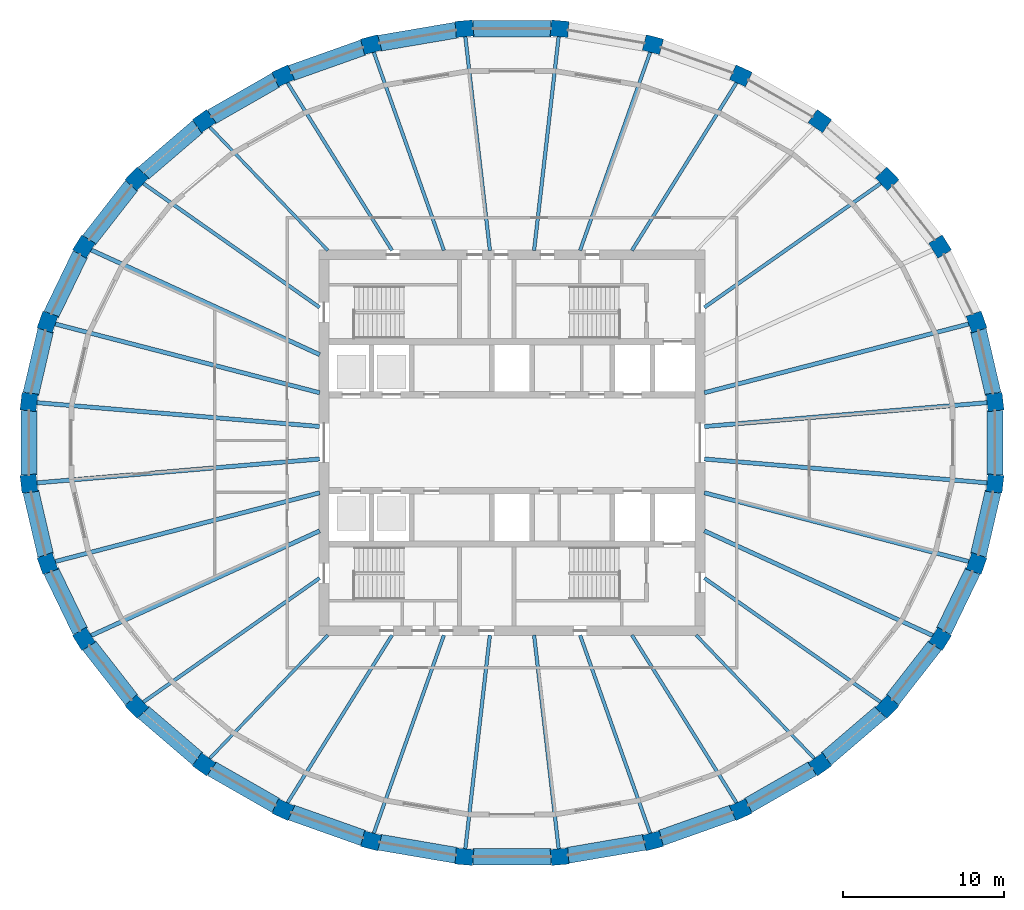
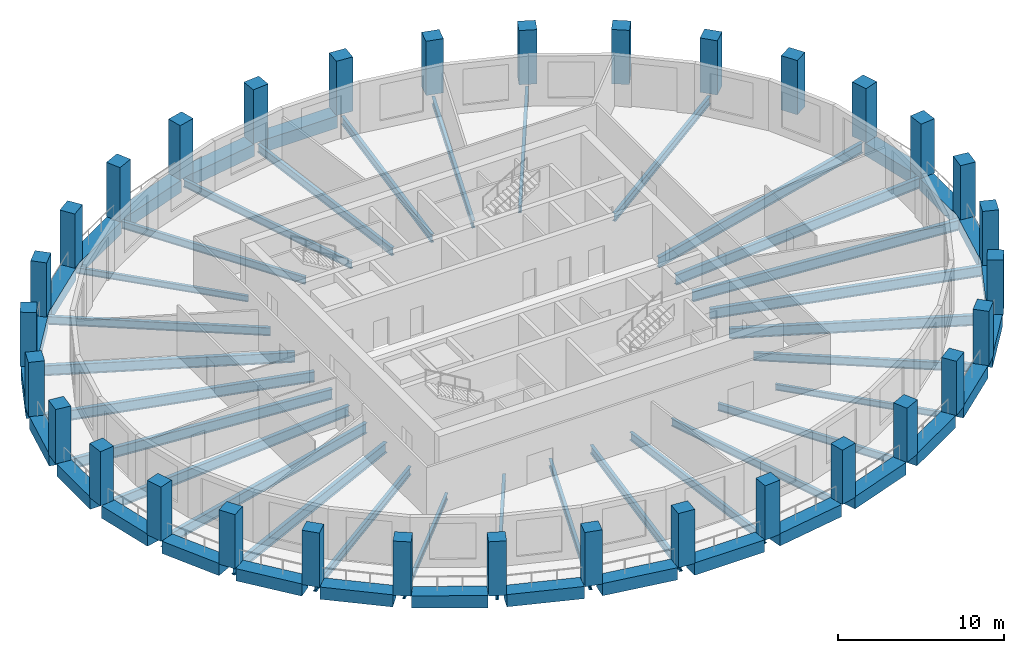
# One storey, part 1 of 10: 56 beams, 32 columns.
"""IFC4 building model written with IfcOpenShell, lengths in metres."""

from ifc_helpers import new_model, si_unit, direction, frame, origin, origin_2d, place, context, subcontext, project, spatial, rectangle, i_section, extrude, material, material_profile, profile_set, type_object, element, save


model = new_model("IFC4")

# Units and contexts
model_context = context("Model", 3, precision=1e-05, world=origin(), true_north=direction((0.0, 1.0)))
body_context = subcontext(model_context, "Body", "Model", "MODEL_VIEW")
ifc_project = project(units=[si_unit("LENGTHUNIT", "METRE"), si_unit("AREAUNIT", "SQUARE_METRE"), si_unit("VOLUMEUNIT", "CUBIC_METRE"), si_unit("PLANEANGLEUNIT", "RADIAN"), si_unit("MASSUNIT", "GRAM", prefix="KILO")], contexts=[model_context])

# Site, building, storey
site_placement = place(None, origin())
site = spatial("IfcSite", under=ifc_project, at=site_placement, CompositionType="ELEMENT")
building_placement = place(site_placement, origin())
building = spatial("IfcBuilding", under=site, at=building_placement, Name="Halqa Exchange Tower", CompositionType="ELEMENT")
storey_placement = place(building_placement, frame((0.0, 0.0, 260.300048828125)))
storey = spatial("IfcBuildingStorey", under=building, at=storey_placement, Name="L60", CompositionType="ELEMENT", Elevation=260.300048828125)

# Columns
ifc_material_1 = material(Name="Concrete C60/75", Category="concrete")
ifc_material_profile_1 = material_profile(ifc_material_1, rectangle(XDim=1.10009765625, YDim=1.0, at=origin_2d()), Name="1100 x 1000")
ifc_profile_set_1 = profile_set([ifc_material_profile_1], Name="Concrete C60/75")
column_type = type_object("IfcColumnType", Name="RC ring column 1100 x 1000 C60/75", PredefinedType="COLUMN", material=ifc_profile_set_1)
for number, where, z_axis, x_axis, name in (
    (1, (30.06494140625, 2.5380859375, 0.0), (0.0, 0.0, 1.0), (-0.114158655897, 0.993462531394, 0.0), "Ring column 1"),
    (2, (28.90966796875, 7.516845703125, 0.0), (0.0, 0.0, 1.0), (-0.333622588243, 0.942706724604, 0.0), "Ring column 2"),
    (3, (26.643310546875, 12.206787109375, 0.0), (0.0, 0.0, 1.0), (-0.529140496257, 0.848534227489, 0.0), "Ring column 3"),
    (4, (23.35302734375, 16.427490234375, 0.0), (0.0, 0.0, 1.0), (-0.691578612608, 0.722301199351, 0.0), "Ring column 4"),
    (5, (19.165283203125, 20.016845703125, 0.0), (0.0, 0.0, 1.0), (-0.817906779671, 0.575350762377, 0.0), "Ring column 5"),
    (6, (14.2412109375, 22.837158203125, 0.0), (0.0, 0.0, 1.0), (-0.909127822794, 0.416517228722, 0.0), "Ring column 6"),
    (7, (8.76953125, 24.77978515625, 0.0), (0.0, 0.0, 1.0), (-0.967820381973, 0.251642023988, 0.0), "Ring column 7"),
    (8, (2.961181640625, 25.77001953125, 0.0), (0.0, 0.0, 1.0), (-0.996455665803, 0.084119593962, 0.0), "Ring column 8"),
    (9, (-2.961181640625, 25.77001953125, 0.0), (0.0, 0.0, 1.0), (-0.996455665803, -0.084119593962, 0.0), "Ring column 9"),
    (10, (-8.76953125, 24.77978515625, 0.0), (0.0, 0.0, 1.0), (-0.967820381973, -0.251642023988, 0.0), "Ring column 10"),
    (11, (-14.2412109375, 22.837158203125, 0.0), (0.0, 0.0, 1.0), (-0.909127822794, -0.416517228722, 0.0), "Ring column 11"),
    (12, (-19.165283203125, 20.016845703125, 0.0), (0.0, 0.0, 1.0), (-0.817906779671, -0.575350762377, 0.0), "Ring column 12"),
    (13, (-23.35302734375, 16.427490234375, 0.0), (0.0, 0.0, 1.0), (-0.691578612608, -0.722301199351, 0.0), "Ring column 13"),
    (14, (-26.643310546875, 12.206787109375, 0.0), (0.0, 0.0, 1.0), (-0.529140496257, -0.848534227489, 0.0), "Ring column 14"),
    (15, (-28.90966796875, 7.516845703125, 0.0), (0.0, 0.0, 1.0), (-0.333622588243, -0.942706724604, 0.0), "Ring column 15"),
    (16, (-30.06494140625, 2.5380859375, 0.0), (0.0, 0.0, 1.0), (-0.114158655897, -0.993462531394, 0.0), "Ring column 16"),
    (17, (-30.06494140625, -2.5380859375, 0.0), (0.0, 0.0, 1.0), (0.114158655897, -0.993462531394, 0.0), "Ring column 17"),
    (18, (-28.90966796875, -7.516845703125, 0.0), (0.0, 0.0, 1.0), (0.333622588243, -0.942706724604, 0.0), "Ring column 18"),
    (19, (-26.643310546875, -12.206787109375, 0.0), (0.0, 0.0, 1.0), (0.529140496257, -0.848534227489, 0.0), "Ring column 19"),
    (20, (-23.35302734375, -16.427490234375, 0.0), (0.0, 0.0, 1.0), (0.691578612608, -0.722301199351, 0.0), "Ring column 20"),
    (21, (-19.165283203125, -20.016845703125, 0.0), (0.0, 0.0, 1.0), (0.817906779671, -0.575350762377, 0.0), "Ring column 21"),
    (22, (-14.2412109375, -22.837158203125, 0.0), (0.0, 0.0, 1.0), (0.909127822794, -0.416517228722, 0.0), "Ring column 22"),
    (23, (-8.76953125, -24.77978515625, 0.0), (0.0, 0.0, 1.0), (0.967820381973, -0.251642023988, 0.0), "Ring column 23"),
    (24, (-2.961181640625, -25.77001953125, 0.0), (0.0, 0.0, 1.0), (0.996455665803, -0.084119593962, 0.0), "Ring column 24"),
    (25, (2.961181640625, -25.77001953125, 0.0), (0.0, 0.0, 1.0), (0.996455665803, 0.084119593962, 0.0), "Ring column 25"),
    (26, (8.76953125, -24.77978515625, 0.0), (0.0, 0.0, 1.0), (0.967820381973, 0.251642023988, 0.0), "Ring column 26"),
    (27, (14.2412109375, -22.837158203125, 0.0), (0.0, 0.0, 1.0), (0.909127822794, 0.416517228722, 0.0), "Ring column 27"),
    (28, (19.165283203125, -20.016845703125, 0.0), (0.0, 0.0, 1.0), (0.817906779671, 0.575350762377, 0.0), "Ring column 28"),
    (29, (23.35302734375, -16.427490234375, 0.0), (0.0, 0.0, 1.0), (0.691578612608, 0.722301199351, 0.0), "Ring column 29"),
    (30, (26.643310546875, -12.206787109375, 0.0), (0.0, 0.0, 1.0), (0.529140496257, 0.848534227489, 0.0), "Ring column 30"),
    (31, (28.90966796875, -7.516845703125, 0.0), (0.0, 0.0, 1.0), (0.333622588243, 0.942706724604, 0.0), "Ring column 31"),
    (32, (30.06494140625, -2.5380859375, 0.0), (0.0, 0.0, 1.0), (0.114158655897, 0.993462531394, 0.0), "Ring column 32"),
):
    element("IfcColumn", number, at=place(storey_placement, frame(where, z_axis=z_axis, x_axis=x_axis)), inside=storey, type_object=column_type, Name=name, PredefinedType="COLUMN", context=body_context, shape_type="SweptSolid", body=[
        extrude(rectangle(XDim=1.10009765625, YDim=1.0, at=origin_2d()), origin(), (0.0, 0.0, 1.0), 4.0),
    ])

# Beams
ifc_material_2 = material(Name="Steel S355", Category="steel")
ifc_material_profile_2 = material_profile(ifc_material_2, i_section(OverallWidth=0.18994140625, OverallDepth=0.449951171875, WebThickness=0.009521484375, FlangeThickness=0.0146484375, FilletRadius=0.02099609375, at=origin_2d()), Name="IPE 450")
ifc_profile_set_2 = profile_set([ifc_material_profile_2], Name="Steel S355")
beam_type_1 = type_object("IfcBeamType", Name="Floor beam IPE 450", PredefinedType="BEAM", material=ifc_profile_set_2)
for number, where, z_axis, x_axis, name in (
    (33, (-11.462890625, 11.97216796875, -0.525146484375), (-0.691571250257, 0.722308248477, 0.0), (-0.722308248477, -0.691571250257, 0.0), "Radial beam 12"),
    (34, (-11.462890625, -11.97216796875, -0.525146484375), (-0.691571250257, -0.722308248477, 0.0), (0.722308248477, -0.691571250257, 0.0), "Radial beam 21"),
    (35, (11.462890625, -11.97216796875, -0.525146484375), (0.691571250257, -0.722308248477, 0.0), (0.722308248477, 0.691571250257, 0.0), "Radial beam 28"),
):
    element("IfcBeam", number, at=place(storey_placement, frame(where, z_axis=z_axis, x_axis=x_axis)), inside=storey, type_object=beam_type_1, Name=name, PredefinedType="BEAM", context=body_context, shape_type="SweptSolid", body=[
        extrude(i_section(OverallWidth=0.18994140625, OverallDepth=0.449951171875, WebThickness=0.009521484375, FlangeThickness=0.0146484375, FilletRadius=0.02099609375, at=origin_2d()), origin(), (0.0, 0.0, 1.0), 10.8896484375),
    ])
ifc_material_profile_3 = material_profile(ifc_material_2, i_section(OverallWidth=0.2099609375, OverallDepth=0.550048828125, WebThickness=0.010986328125, FlangeThickness=0.01708984375, FilletRadius=0.02392578125, at=origin_2d()), Name="IPE 550")
ifc_profile_set_3 = profile_set([ifc_material_profile_3], Name="Steel S355")
beam_type_2 = type_object("IfcBeamType", Name="Floor beam IPE 550", PredefinedType="BEAM", material=ifc_profile_set_3)
beam_1_placement = place(storey_placement, frame((7.46533203125, 11.971435546875, -0.574951171875), z_axis=(0.529149067811, 0.848528882263, 0.0), x_axis=(-0.848528882263, 0.529149067811, 0.0)))
element("IfcBeam", 36, at=beam_1_placement, inside=storey, type_object=beam_type_2, Name="Radial beam 6", PredefinedType="BEAM", context=body_context, shape_type="SweptSolid", body=[
    extrude(i_section(OverallWidth=0.2099609375, OverallDepth=0.550048828125, WebThickness=0.010986328125, FlangeThickness=0.01708984375, FilletRadius=0.02392578125, at=origin_2d()), origin(), (0.0, 0.0, 1.0), 12.55322265625),
])
for number, where, z_axis, x_axis, name in (
    (37, (4.23681640625, 11.971923828125, -0.574951171875), (0.333635977783, 0.942701985958, 0.0), (-0.942701985958, 0.333635977783, 0.0), "Radial beam 7"),
    (38, (-4.23681640625, 11.971923828125, -0.574951171875), (-0.333635977783, 0.942701985958, 0.0), (-0.942701985958, -0.333635977783, 0.0), "Radial beam 10"),
):
    element("IfcBeam", number, at=place(storey_placement, frame(where, z_axis=z_axis, x_axis=x_axis)), inside=storey, type_object=beam_type_2, Name=name, PredefinedType="BEAM", context=body_context, shape_type="SweptSolid", body=[
        extrude(i_section(OverallWidth=0.2099609375, OverallDepth=0.550048828125, WebThickness=0.010986328125, FlangeThickness=0.01708984375, FilletRadius=0.02392578125, at=origin_2d()), origin(), (0.0, 0.0, 1.0), 13.333984375),
    ])
for number, where, z_axis, x_axis, name in (
    (39, (-7.46533203125, 11.971435546875, -0.574951171875), (-0.529149067811, 0.848528882263, 0.0), (-0.848528882263, -0.529149067811, 0.0), "Radial beam 11"),
    (40, (-7.46533203125, -11.971435546875, -0.574951171875), (-0.529149067811, -0.848528882263, 0.0), (0.848528882263, -0.529149067811, 0.0), "Radial beam 22"),
):
    element("IfcBeam", number, at=place(storey_placement, frame(where, z_axis=z_axis, x_axis=x_axis)), inside=storey, type_object=beam_type_2, Name=name, PredefinedType="BEAM", context=body_context, shape_type="SweptSolid", body=[
        extrude(i_section(OverallWidth=0.2099609375, OverallDepth=0.550048828125, WebThickness=0.010986328125, FlangeThickness=0.01708984375, FilletRadius=0.02392578125, at=origin_2d()), origin(), (0.0, 0.0, 1.0), 12.55322265625),
    ])
for number, where, z_axis, x_axis, name in (
    (41, (-4.23681640625, -11.971923828125, -0.574951171875), (-0.333635977783, -0.942701985958, 0.0), (0.942701985958, -0.333635977783, 0.0), "Radial beam 23"),
    (42, (4.23681640625, -11.971923828125, -0.574951171875), (0.333635977783, -0.942701985958, 0.0), (0.942701985958, 0.333635977783, 0.0), "Radial beam 26"),
):
    element("IfcBeam", number, at=place(storey_placement, frame(where, z_axis=z_axis, x_axis=x_axis)), inside=storey, type_object=beam_type_2, Name=name, PredefinedType="BEAM", context=body_context, shape_type="SweptSolid", body=[
        extrude(i_section(OverallWidth=0.2099609375, OverallDepth=0.550048828125, WebThickness=0.010986328125, FlangeThickness=0.01708984375, FilletRadius=0.02392578125, at=origin_2d()), origin(), (0.0, 0.0, 1.0), 13.333984375),
    ])
beam_2_placement = place(storey_placement, frame((7.46533203125, -11.971435546875, -0.574951171875), z_axis=(0.529149067811, -0.848528882263, 0.0), x_axis=(0.848528882263, 0.529149067811, 0.0)))
element("IfcBeam", 43, at=beam_2_placement, inside=storey, type_object=beam_type_2, Name="Radial beam 27", PredefinedType="BEAM", context=body_context, shape_type="SweptSolid", body=[
    extrude(i_section(OverallWidth=0.2099609375, OverallDepth=0.550048828125, WebThickness=0.010986328125, FlangeThickness=0.01708984375, FilletRadius=0.02392578125, at=origin_2d()), origin(), (0.0, 0.0, 1.0), 12.55322265625),
])
ifc_material_profile_4 = material_profile(ifc_material_2, i_section(OverallWidth=0.219970703125, OverallDepth=0.60009765625, WebThickness=0.011962890625, FlangeThickness=0.01904296875, FilletRadius=0.02392578125, at=origin_2d()), Name="IPE 600")
ifc_profile_set_4 = profile_set([ifc_material_profile_4], Name="Steel S355")
beam_type_3 = type_object("IfcBeamType", Name="Floor beam IPE 600", PredefinedType="BEAM", material=ifc_profile_set_4)
beam_3_placement = place(storey_placement, frame((11.972412109375, 8.421875, -0.60009765625), z_axis=(0.817903224898, 0.575355815737, 0.0), x_axis=(-0.575355815737, 0.817903224898, 0.0)))
element("IfcBeam", 44, at=beam_3_placement, inside=storey, type_object=beam_type_3, Name="Radial beam 4", PredefinedType="BEAM", context=body_context, shape_type="SweptSolid", body=[
    extrude(i_section(OverallWidth=0.219970703125, OverallDepth=0.60009765625, WebThickness=0.011962890625, FlangeThickness=0.01904296875, FilletRadius=0.02392578125, at=origin_2d()), origin(), (0.0, 0.0, 1.0), 13.670166015625),
])
for number, where, z_axis, x_axis, name in (
    (45, (1.375732421875, 11.972412109375, -0.60009765625), (0.114153092287, 0.993463170692, 0.0), (-0.993463170692, 0.114153092287, 0.0), "Radial beam 8"),
    (46, (-1.375732421875, 11.972412109375, -0.60009765625), (-0.114153092287, 0.993463170692, 0.0), (-0.993463170692, -0.114153092287, 0.0), "Radial beam 9"),
):
    element("IfcBeam", number, at=place(storey_placement, frame(where, z_axis=z_axis, x_axis=x_axis)), inside=storey, type_object=beam_type_3, Name=name, PredefinedType="BEAM", context=body_context, shape_type="SweptSolid", body=[
        extrude(i_section(OverallWidth=0.219970703125, OverallDepth=0.60009765625, WebThickness=0.011962890625, FlangeThickness=0.01904296875, FilletRadius=0.02392578125, at=origin_2d()), origin(), (0.0, 0.0, 1.0), 13.63427734375),
    ])
for number, where, z_axis, x_axis, name in (
    (47, (-11.972412109375, 8.421875, -0.60009765625), (-0.817903224898, 0.575355815737, 0.0), (-0.575355815737, -0.817903224898, 0.0), "Radial beam 13"),
    (48, (-11.972412109375, -8.421875, -0.60009765625), (-0.817903224898, -0.575355815737, 0.0), (0.575355815737, -0.817903224898, 0.0), "Radial beam 20"),
):
    element("IfcBeam", number, at=place(storey_placement, frame(where, z_axis=z_axis, x_axis=x_axis)), inside=storey, type_object=beam_type_3, Name=name, PredefinedType="BEAM", context=body_context, shape_type="SweptSolid", body=[
        extrude(i_section(OverallWidth=0.219970703125, OverallDepth=0.60009765625, WebThickness=0.011962890625, FlangeThickness=0.01904296875, FilletRadius=0.02392578125, at=origin_2d()), origin(), (0.0, 0.0, 1.0), 13.670166015625),
    ])
for number, where, z_axis, x_axis, name in (
    (49, (-1.375732421875, -11.972412109375, -0.60009765625), (-0.114153092287, -0.993463170692, 0.0), (0.993463170692, -0.114153092287, 0.0), "Radial beam 24"),
    (50, (1.375732421875, -11.972412109375, -0.60009765625), (0.114153092287, -0.993463170692, 0.0), (0.993463170692, 0.114153092287, 0.0), "Radial beam 25"),
):
    element("IfcBeam", number, at=place(storey_placement, frame(where, z_axis=z_axis, x_axis=x_axis)), inside=storey, type_object=beam_type_3, Name=name, PredefinedType="BEAM", context=body_context, shape_type="SweptSolid", body=[
        extrude(i_section(OverallWidth=0.219970703125, OverallDepth=0.60009765625, WebThickness=0.011962890625, FlangeThickness=0.01904296875, FilletRadius=0.02392578125, at=origin_2d()), origin(), (0.0, 0.0, 1.0), 13.63427734375),
    ])
beam_4_placement = place(storey_placement, frame((11.972412109375, -8.421875, -0.60009765625), z_axis=(0.817903224898, -0.575355815737, 0.0), x_axis=(0.575355815737, 0.817903224898, 0.0)))
element("IfcBeam", 51, at=beam_4_placement, inside=storey, type_object=beam_type_3, Name="Radial beam 29", PredefinedType="BEAM", context=body_context, shape_type="SweptSolid", body=[
    extrude(i_section(OverallWidth=0.219970703125, OverallDepth=0.60009765625, WebThickness=0.011962890625, FlangeThickness=0.01904296875, FilletRadius=0.02392578125, at=origin_2d()), origin(), (0.0, 0.0, 1.0), 13.670166015625),
])
ifc_material_profile_5 = material_profile(ifc_material_2, i_section(OverallWidth=0.264892578125, OverallDepth=0.7529296875, WebThickness=0.01318359375, FlangeThickness=0.01708984375, FilletRadius=0.01708984375, at=origin_2d()), Name="IPE 750x147")
ifc_profile_set_5 = profile_set([ifc_material_profile_5], Name="Steel S355")
beam_type_4 = type_object("IfcBeamType", Name="Floor beam IPE 750x147", PredefinedType="BEAM", material=ifc_profile_set_5)
beam_5_placement = place(storey_placement, frame((11.972900390625, 1.0107421875, -0.676513671875), z_axis=(0.996455563902, 0.084120801042, 0.0), x_axis=(-0.084120801042, 0.996455563902, 0.0)))
element("IfcBeam", 52, at=beam_5_placement, inside=storey, type_object=beam_type_4, Name="Radial beam 1", PredefinedType="BEAM", context=body_context, shape_type="SweptSolid", body=[
    extrude(i_section(OverallWidth=0.264892578125, OverallDepth=0.7529296875, WebThickness=0.01318359375, FlangeThickness=0.01708984375, FilletRadius=0.01708984375, at=origin_2d()), origin(), (0.0, 0.0, 1.0), 17.92431640625),
])
beam_6_placement = place(storey_placement, frame((11.97265625, 3.113037109375, -0.676513671875), z_axis=(0.96781864941, 0.25164868737, 0.0), x_axis=(-0.25164868737, 0.96781864941, 0.0)))
element("IfcBeam", 53, at=beam_6_placement, inside=storey, type_object=beam_type_4, Name="Radial beam 2", PredefinedType="BEAM", context=body_context, shape_type="SweptSolid", body=[
    extrude(i_section(OverallWidth=0.264892578125, OverallDepth=0.7529296875, WebThickness=0.01318359375, FlangeThickness=0.01708984375, FilletRadius=0.01708984375, at=origin_2d()), origin(), (0.0, 0.0, 1.0), 17.26416015625),
])
beam_7_placement = place(storey_placement, frame((-11.972412109375, 5.485107421875, -0.676513671875), z_axis=(-0.909125405475, 0.416522504938, 0.0), x_axis=(-0.416522504938, -0.909125405475, 0.0)))
element("IfcBeam", 54, at=beam_7_placement, inside=storey, type_object=beam_type_4, Name="Radial beam 14", PredefinedType="BEAM", context=body_context, shape_type="SweptSolid", body=[
    extrude(i_section(OverallWidth=0.264892578125, OverallDepth=0.7529296875, WebThickness=0.01318359375, FlangeThickness=0.01708984375, FilletRadius=0.01708984375, at=origin_2d()), origin(), (0.0, 0.0, 1.0), 15.897216796875),
])
beam_8_placement = place(storey_placement, frame((-11.97265625, 3.113037109375, -0.676513671875), z_axis=(-0.96781864941, 0.25164868737, 0.0), x_axis=(-0.25164868737, -0.96781864941, 0.0)))
element("IfcBeam", 55, at=beam_8_placement, inside=storey, type_object=beam_type_4, Name="Radial beam 15", PredefinedType="BEAM", context=body_context, shape_type="SweptSolid", body=[
    extrude(i_section(OverallWidth=0.264892578125, OverallDepth=0.7529296875, WebThickness=0.01318359375, FlangeThickness=0.01708984375, FilletRadius=0.01708984375, at=origin_2d()), origin(), (0.0, 0.0, 1.0), 17.26416015625),
])
for number, where, z_axis, x_axis, name in (
    (56, (-11.972900390625, 1.0107421875, -0.676513671875), (-0.996455563902, 0.084120801042, 0.0), (-0.084120801042, -0.996455563902, 0.0), "Radial beam 16"),
    (57, (-11.972900390625, -1.0107421875, -0.676513671875), (-0.996455563902, -0.084120801042, 0.0), (0.084120801042, -0.996455563902, 0.0), "Radial beam 17"),
):
    element("IfcBeam", number, at=place(storey_placement, frame(where, z_axis=z_axis, x_axis=x_axis)), inside=storey, type_object=beam_type_4, Name=name, PredefinedType="BEAM", context=body_context, shape_type="SweptSolid", body=[
        extrude(i_section(OverallWidth=0.264892578125, OverallDepth=0.7529296875, WebThickness=0.01318359375, FlangeThickness=0.01708984375, FilletRadius=0.01708984375, at=origin_2d()), origin(), (0.0, 0.0, 1.0), 17.92431640625),
    ])
beam_9_placement = place(storey_placement, frame((-11.97265625, -3.113037109375, -0.676513671875), z_axis=(-0.96781864941, -0.25164868737, 0.0), x_axis=(0.25164868737, -0.96781864941, 0.0)))
element("IfcBeam", 58, at=beam_9_placement, inside=storey, type_object=beam_type_4, Name="Radial beam 18", PredefinedType="BEAM", context=body_context, shape_type="SweptSolid", body=[
    extrude(i_section(OverallWidth=0.264892578125, OverallDepth=0.7529296875, WebThickness=0.01318359375, FlangeThickness=0.01708984375, FilletRadius=0.01708984375, at=origin_2d()), origin(), (0.0, 0.0, 1.0), 17.26416015625),
])
for number, where, z_axis, x_axis, name in (
    (59, (-11.972412109375, -5.485107421875, -0.676513671875), (-0.909125405475, -0.416522504938, 0.0), (0.416522504938, -0.909125405475, 0.0), "Radial beam 19"),
    (60, (11.972412109375, -5.485107421875, -0.676513671875), (0.909125405475, -0.416522504938, 0.0), (0.416522504938, 0.909125405475, 0.0), "Radial beam 30"),
):
    element("IfcBeam", number, at=place(storey_placement, frame(where, z_axis=z_axis, x_axis=x_axis)), inside=storey, type_object=beam_type_4, Name=name, PredefinedType="BEAM", context=body_context, shape_type="SweptSolid", body=[
        extrude(i_section(OverallWidth=0.264892578125, OverallDepth=0.7529296875, WebThickness=0.01318359375, FlangeThickness=0.01708984375, FilletRadius=0.01708984375, at=origin_2d()), origin(), (0.0, 0.0, 1.0), 15.897216796875),
    ])
beam_10_placement = place(storey_placement, frame((11.97265625, -3.113037109375, -0.676513671875), z_axis=(0.96781864941, -0.25164868737, 0.0), x_axis=(0.25164868737, 0.96781864941, 0.0)))
element("IfcBeam", 61, at=beam_10_placement, inside=storey, type_object=beam_type_4, Name="Radial beam 31", PredefinedType="BEAM", context=body_context, shape_type="SweptSolid", body=[
    extrude(i_section(OverallWidth=0.264892578125, OverallDepth=0.7529296875, WebThickness=0.01318359375, FlangeThickness=0.01708984375, FilletRadius=0.01708984375, at=origin_2d()), origin(), (0.0, 0.0, 1.0), 17.26416015625),
])
beam_11_placement = place(storey_placement, frame((11.972900390625, -1.0107421875, -0.676513671875), z_axis=(0.996455563902, -0.084120801042, 0.0), x_axis=(0.084120801042, 0.996455563902, 0.0)))
element("IfcBeam", 62, at=beam_11_placement, inside=storey, type_object=beam_type_4, Name="Radial beam 32", PredefinedType="BEAM", context=body_context, shape_type="SweptSolid", body=[
    extrude(i_section(OverallWidth=0.264892578125, OverallDepth=0.7529296875, WebThickness=0.01318359375, FlangeThickness=0.01708984375, FilletRadius=0.01708984375, at=origin_2d()), origin(), (0.0, 0.0, 1.0), 17.92431640625),
])
ifc_material_profile_6 = material_profile(ifc_material_1, rectangle(XDim=1.0, YDim=0.89990234375, at=origin_2d()), Name="1000 x 900")
ifc_profile_set_6 = profile_set([ifc_material_profile_6], Name="Concrete C60/75")
beam_type_5 = type_object("IfcBeamType", Name="RC spandrel beam 1000 x 900 C60/75", PredefinedType="SPANDREL", material=ifc_profile_set_6)
beam_12_placement = place(storey_placement, frame((29.9462890625, 3.04931640625, -0.449951171875), z_axis=(-0.226031895623, 0.974119901327, 0.0), x_axis=(-0.974119901327, -0.226031895623, 0.0)))
element("IfcBeam", 63, at=beam_12_placement, inside=storey, type_object=beam_type_5, Name="Spandrel 1", PredefinedType="SPANDREL", context=body_context, shape_type="SweptSolid", body=[
    extrude(rectangle(XDim=1.0, YDim=0.89990234375, at=origin_2d()), origin(), (0.0, 0.0, 1.0), 4.06005859375),
])
beam_13_placement = place(storey_placement, frame((2.4375, 25.77001953125, -0.449951171875), z_axis=(-1.0, 0.0, 0.0), x_axis=(0.0, -1.0, 0.0)))
element("IfcBeam", 64, at=beam_13_placement, inside=storey, type_object=beam_type_5, Name="Spandrel 8", PredefinedType="SPANDREL", context=body_context, shape_type="SweptSolid", body=[
    extrude(rectangle(XDim=1.0, YDim=0.89990234375, at=origin_2d()), origin(), (0.0, 0.0, 1.0), 4.875),
])
beam_14_placement = place(storey_placement, frame((-3.4775390625, 25.681884765625, -0.449951171875), z_axis=(-0.985781051948, -0.168034870249, 0.0), x_axis=(0.168034870249, -0.985781051948, 0.0)))
element("IfcBeam", 65, at=beam_14_placement, inside=storey, type_object=beam_type_5, Name="Spandrel 9", PredefinedType="SPANDREL", context=body_context, shape_type="SweptSolid", body=[
    extrude(rectangle(XDim=1.0, YDim=0.89990234375, at=origin_2d()), origin(), (0.0, 0.0, 1.0), 4.843994140625),
])
beam_15_placement = place(storey_placement, frame((-9.26416015625, 24.60400390625, -0.449951171875), z_axis=(-0.942372957307, -0.334564208094, 0.0), x_axis=(0.334564208094, -0.942372957307, 0.0)))
element("IfcBeam", 66, at=beam_15_placement, inside=storey, type_object=beam_type_5, Name="Spandrel 10", PredefinedType="SPANDREL", context=body_context, shape_type="SweptSolid", body=[
    extrude(rectangle(XDim=1.0, YDim=0.89990234375, at=origin_2d()), origin(), (0.0, 0.0, 1.0), 4.7578125),
])
beam_16_placement = place(storey_placement, frame((-14.6962890625, 22.576416015625, -0.449951171875), z_axis=(-0.867755612748, -0.496991143326, 0.0), x_axis=(0.496991143326, -0.867755612748, 0.0)))
element("IfcBeam", 67, at=beam_16_placement, inside=storey, type_object=beam_type_5, Name="Spandrel 11", PredefinedType="SPANDREL", context=body_context, shape_type="SweptSolid", body=[
    extrude(rectangle(XDim=1.0, YDim=0.89990234375, at=origin_2d()), origin(), (0.0, 0.0, 1.0), 4.62646484375),
])
beam_17_placement = place(storey_placement, frame((-19.563720703125, 19.67529296875, -0.449951171875), z_axis=(-0.75927203536, -0.650773367864, 0.0), x_axis=(0.650773367864, -0.75927203536, 0.0)))
element("IfcBeam", 68, at=beam_17_placement, inside=storey, type_object=beam_type_5, Name="Spandrel 12", PredefinedType="SPANDREL", context=body_context, shape_type="SweptSolid", body=[
    extrude(rectangle(XDim=1.0, YDim=0.89990234375, at=origin_2d()), origin(), (0.0, 0.0, 1.0), 4.466552734375),
])
beam_18_placement = place(storey_placement, frame((-23.676025390625, 16.012939453125, -0.449951171875), z_axis=(-0.614851813623, -0.788642661339, 0.0), x_axis=(0.788642661339, -0.614851813623, 0.0)))
element("IfcBeam", 69, at=beam_18_placement, inside=storey, type_object=beam_type_5, Name="Spandrel 13", PredefinedType="SPANDREL", context=body_context, shape_type="SweptSolid", body=[
    extrude(rectangle(XDim=1.0, YDim=0.89990234375, at=origin_2d()), origin(), (0.0, 0.0, 1.0), 4.301513671875),
])
beam_19_placement = place(storey_placement, frame((-26.872314453125, 11.733154296875, -0.449951171875), z_axis=(-0.435052831025, -0.900404927917, 0.0), x_axis=(0.900404927917, -0.435052831025, 0.0)))
element("IfcBeam", 70, at=beam_19_placement, inside=storey, type_object=beam_type_5, Name="Spandrel 14", PredefinedType="SPANDREL", context=body_context, shape_type="SweptSolid", body=[
    extrude(rectangle(XDim=1.0, YDim=0.89990234375, at=origin_2d()), origin(), (0.0, 0.0, 1.0), 4.15771484375),
])
beam_20_placement = place(storey_placement, frame((-29.028564453125, 7.00439453125, -0.449951171875), z_axis=(-0.226031895623, -0.974119901327, 0.0), x_axis=(0.974119901327, -0.226031895623, 0.0)))
element("IfcBeam", 71, at=beam_20_placement, inside=storey, type_object=beam_type_5, Name="Spandrel 15", PredefinedType="SPANDREL", context=body_context, shape_type="SweptSolid", body=[
    extrude(rectangle(XDim=1.0, YDim=0.89990234375, at=origin_2d()), origin(), (0.0, 0.0, 1.0), 4.06005859375),
])
beam_21_placement = place(storey_placement, frame((-30.06494140625, 2.01318359375, -0.449951171875), z_axis=(0.0, -1.0, 0.0), x_axis=(1.0, 0.0, 0.0)))
element("IfcBeam", 72, at=beam_21_placement, inside=storey, type_object=beam_type_5, Name="Spandrel 16", PredefinedType="SPANDREL", context=body_context, shape_type="SweptSolid", body=[
    extrude(rectangle(XDim=1.0, YDim=0.89990234375, at=origin_2d()), origin(), (0.0, 0.0, 1.0), 4.0263671875),
])
beam_22_placement = place(storey_placement, frame((-29.9462890625, -3.04931640625, -0.449951171875), z_axis=(0.226031895623, -0.974119901327, 0.0), x_axis=(0.974119901327, 0.226031895623, 0.0)))
element("IfcBeam", 73, at=beam_22_placement, inside=storey, type_object=beam_type_5, Name="Spandrel 17", PredefinedType="SPANDREL", context=body_context, shape_type="SweptSolid", body=[
    extrude(rectangle(XDim=1.0, YDim=0.89990234375, at=origin_2d()), origin(), (0.0, 0.0, 1.0), 4.06005859375),
])
beam_23_placement = place(storey_placement, frame((-28.68115234375, -7.989501953125, -0.449951171875), z_axis=(0.435052831025, -0.900404927917, 0.0), x_axis=(0.900404927917, 0.435052831025, 0.0)))
element("IfcBeam", 74, at=beam_23_placement, inside=storey, type_object=beam_type_5, Name="Spandrel 18", PredefinedType="SPANDREL", context=body_context, shape_type="SweptSolid", body=[
    extrude(rectangle(XDim=1.0, YDim=0.89990234375, at=origin_2d()), origin(), (0.0, 0.0, 1.0), 4.15771484375),
])
beam_24_placement = place(storey_placement, frame((-26.32080078125, -12.62060546875, -0.449951171875), z_axis=(0.614851813623, -0.788642661339, 0.0), x_axis=(0.788642661339, 0.614851813623, 0.0)))
element("IfcBeam", 75, at=beam_24_placement, inside=storey, type_object=beam_type_5, Name="Spandrel 19", PredefinedType="SPANDREL", context=body_context, shape_type="SweptSolid", body=[
    extrude(rectangle(XDim=1.0, YDim=0.89990234375, at=origin_2d()), origin(), (0.0, 0.0, 1.0), 4.301513671875),
])
beam_25_placement = place(storey_placement, frame((-22.955078125, -16.7685546875, -0.449951171875), z_axis=(0.75927203536, -0.650773367864, 0.0), x_axis=(0.650773367864, 0.75927203536, 0.0)))
element("IfcBeam", 76, at=beam_25_placement, inside=storey, type_object=beam_type_5, Name="Spandrel 20", PredefinedType="SPANDREL", context=body_context, shape_type="SweptSolid", body=[
    extrude(rectangle(XDim=1.0, YDim=0.89990234375, at=origin_2d()), origin(), (0.0, 0.0, 1.0), 4.466552734375),
])
beam_26_placement = place(storey_placement, frame((-18.7109375, -20.277099609375, -0.449951171875), z_axis=(0.867755612748, -0.496991143326, 0.0), x_axis=(0.496991143326, 0.867755612748, 0.0)))
element("IfcBeam", 77, at=beam_26_placement, inside=storey, type_object=beam_type_5, Name="Spandrel 21", PredefinedType="SPANDREL", context=body_context, shape_type="SweptSolid", body=[
    extrude(rectangle(XDim=1.0, YDim=0.89990234375, at=origin_2d()), origin(), (0.0, 0.0, 1.0), 4.62646484375),
])
beam_27_placement = place(storey_placement, frame((-13.747802734375, -23.01220703125, -0.449951171875), z_axis=(0.942372957307, -0.334564208094, 0.0), x_axis=(0.334564208094, 0.942372957307, 0.0)))
element("IfcBeam", 78, at=beam_27_placement, inside=storey, type_object=beam_type_5, Name="Spandrel 22", PredefinedType="SPANDREL", context=body_context, shape_type="SweptSolid", body=[
    extrude(rectangle(XDim=1.0, YDim=0.89990234375, at=origin_2d()), origin(), (0.0, 0.0, 1.0), 4.7578125),
])
beam_28_placement = place(storey_placement, frame((-8.252685546875, -24.867919921875, -0.449951171875), z_axis=(0.985781051948, -0.168034870249, 0.0), x_axis=(0.168034870249, 0.985781051948, 0.0)))
element("IfcBeam", 79, at=beam_28_placement, inside=storey, type_object=beam_type_5, Name="Spandrel 23", PredefinedType="SPANDREL", context=body_context, shape_type="SweptSolid", body=[
    extrude(rectangle(XDim=1.0, YDim=0.89990234375, at=origin_2d()), origin(), (0.0, 0.0, 1.0), 4.843994140625),
])
beam_29_placement = place(storey_placement, frame((-2.4375, -25.77001953125, -0.449951171875), z_axis=(1.0, 0.0, 0.0), x_axis=(0.0, 1.0, 0.0)))
element("IfcBeam", 80, at=beam_29_placement, inside=storey, type_object=beam_type_5, Name="Spandrel 24", PredefinedType="SPANDREL", context=body_context, shape_type="SweptSolid", body=[
    extrude(rectangle(XDim=1.0, YDim=0.89990234375, at=origin_2d()), origin(), (0.0, 0.0, 1.0), 4.875),
])
beam_30_placement = place(storey_placement, frame((3.4775390625, -25.681884765625, -0.449951171875), z_axis=(0.985781051948, 0.168034870249, 0.0), x_axis=(-0.168034870249, 0.985781051948, 0.0)))
element("IfcBeam", 81, at=beam_30_placement, inside=storey, type_object=beam_type_5, Name="Spandrel 25", PredefinedType="SPANDREL", context=body_context, shape_type="SweptSolid", body=[
    extrude(rectangle(XDim=1.0, YDim=0.89990234375, at=origin_2d()), origin(), (0.0, 0.0, 1.0), 4.843994140625),
])
beam_31_placement = place(storey_placement, frame((9.26416015625, -24.60400390625, -0.449951171875), z_axis=(0.942372957307, 0.334564208094, 0.0), x_axis=(-0.334564208094, 0.942372957307, 0.0)))
element("IfcBeam", 82, at=beam_31_placement, inside=storey, type_object=beam_type_5, Name="Spandrel 26", PredefinedType="SPANDREL", context=body_context, shape_type="SweptSolid", body=[
    extrude(rectangle(XDim=1.0, YDim=0.89990234375, at=origin_2d()), origin(), (0.0, 0.0, 1.0), 4.7578125),
])
beam_32_placement = place(storey_placement, frame((14.6962890625, -22.576416015625, -0.449951171875), z_axis=(0.867755612748, 0.496991143326, 0.0), x_axis=(-0.496991143326, 0.867755612748, 0.0)))
element("IfcBeam", 83, at=beam_32_placement, inside=storey, type_object=beam_type_5, Name="Spandrel 27", PredefinedType="SPANDREL", context=body_context, shape_type="SweptSolid", body=[
    extrude(rectangle(XDim=1.0, YDim=0.89990234375, at=origin_2d()), origin(), (0.0, 0.0, 1.0), 4.62646484375),
])
beam_33_placement = place(storey_placement, frame((19.563720703125, -19.67529296875, -0.449951171875), z_axis=(0.75927203536, 0.650773367864, 0.0), x_axis=(-0.650773367864, 0.75927203536, 0.0)))
element("IfcBeam", 84, at=beam_33_placement, inside=storey, type_object=beam_type_5, Name="Spandrel 28", PredefinedType="SPANDREL", context=body_context, shape_type="SweptSolid", body=[
    extrude(rectangle(XDim=1.0, YDim=0.89990234375, at=origin_2d()), origin(), (0.0, 0.0, 1.0), 4.466552734375),
])
beam_34_placement = place(storey_placement, frame((23.676025390625, -16.012939453125, -0.449951171875), z_axis=(0.614851813623, 0.788642661339, 0.0), x_axis=(-0.788642661339, 0.614851813623, 0.0)))
element("IfcBeam", 85, at=beam_34_placement, inside=storey, type_object=beam_type_5, Name="Spandrel 29", PredefinedType="SPANDREL", context=body_context, shape_type="SweptSolid", body=[
    extrude(rectangle(XDim=1.0, YDim=0.89990234375, at=origin_2d()), origin(), (0.0, 0.0, 1.0), 4.301513671875),
])
beam_35_placement = place(storey_placement, frame((26.872314453125, -11.733154296875, -0.449951171875), z_axis=(0.435052831025, 0.900404927917, 0.0), x_axis=(-0.900404927917, 0.435052831025, 0.0)))
element("IfcBeam", 86, at=beam_35_placement, inside=storey, type_object=beam_type_5, Name="Spandrel 30", PredefinedType="SPANDREL", context=body_context, shape_type="SweptSolid", body=[
    extrude(rectangle(XDim=1.0, YDim=0.89990234375, at=origin_2d()), origin(), (0.0, 0.0, 1.0), 4.15771484375),
])
beam_36_placement = place(storey_placement, frame((29.028564453125, -7.00439453125, -0.449951171875), z_axis=(0.226031895623, 0.974119901327, 0.0), x_axis=(-0.974119901327, 0.226031895623, 0.0)))
element("IfcBeam", 87, at=beam_36_placement, inside=storey, type_object=beam_type_5, Name="Spandrel 31", PredefinedType="SPANDREL", context=body_context, shape_type="SweptSolid", body=[
    extrude(rectangle(XDim=1.0, YDim=0.89990234375, at=origin_2d()), origin(), (0.0, 0.0, 1.0), 4.06005859375),
])
beam_37_placement = place(storey_placement, frame((30.06494140625, -2.01318359375, -0.449951171875), z_axis=(0.0, 1.0, 0.0), x_axis=(-1.0, 0.0, 0.0)))
element("IfcBeam", 88, at=beam_37_placement, inside=storey, type_object=beam_type_5, Name="Spandrel 32", PredefinedType="SPANDREL", context=body_context, shape_type="SweptSolid", body=[
    extrude(rectangle(XDim=1.0, YDim=0.89990234375, at=origin_2d()), origin(), (0.0, 0.0, 1.0), 4.0263671875),
])

save(model, "model.ifc")
